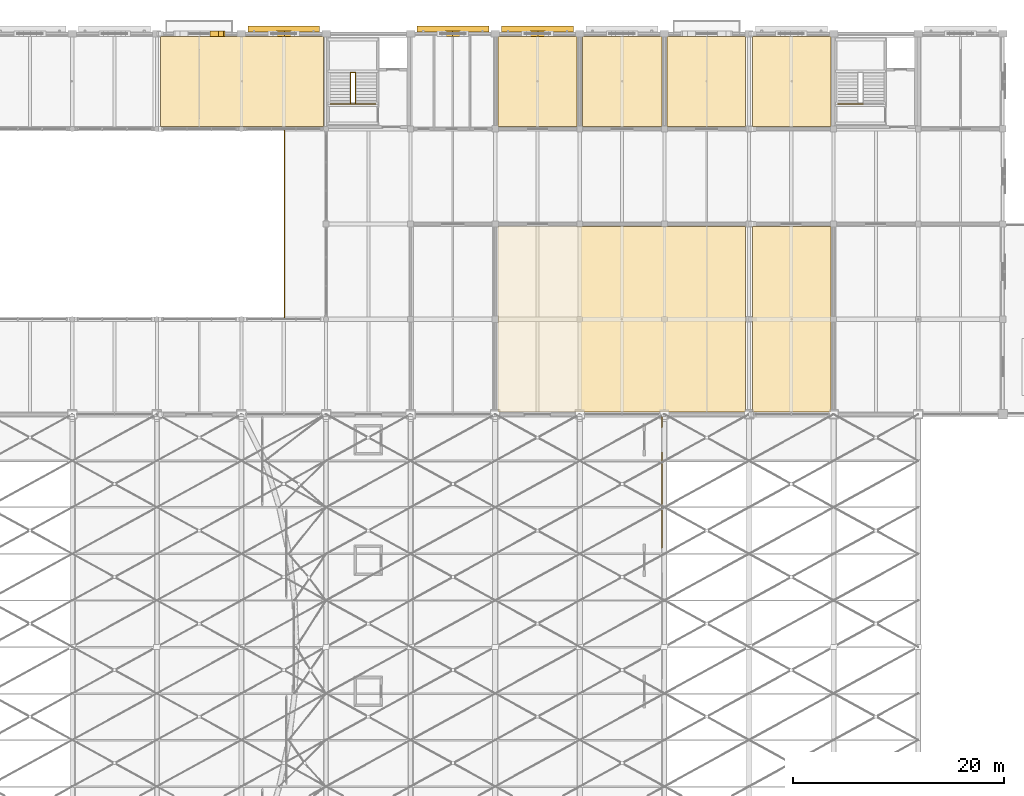
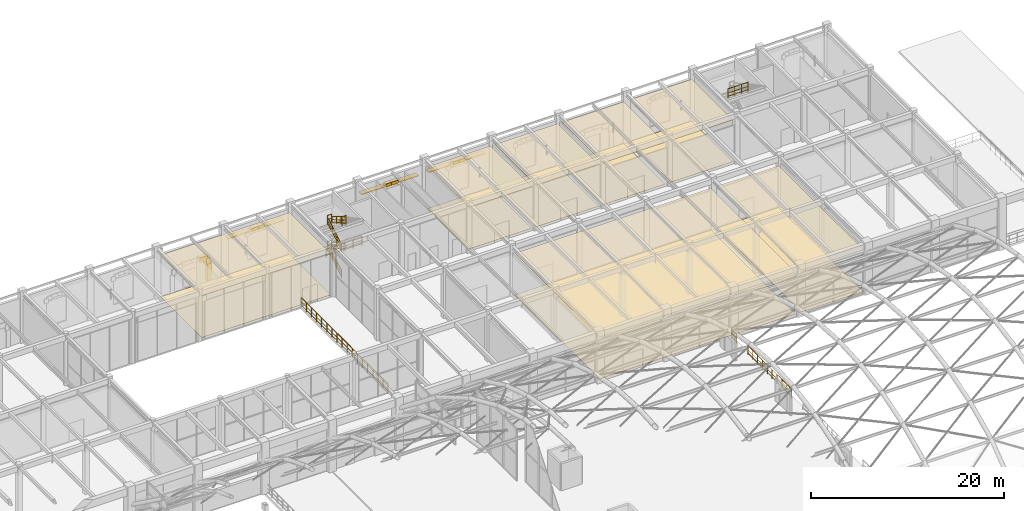
# One storey, part 160 of 163: 23 coverings, 12 railings, 3 shading devices.
"""IFC4 building model written with IfcOpenShell, lengths in metres."""

from ifc_helpers import new_model, si_unit, direction, frame, origin, origin_2d, place, context, subcontext, project, spatial, polyline, rectangle, circle, outline, extrude, material, layer, layer_set, type_object, element, save


model = new_model("IFC4")

# Units and contexts
model_context = context("Model", 3, precision=1e-05, world=origin(), true_north=direction((0.0, 1.0)))
body_context = subcontext(model_context, "Body", "Model", "MODEL_VIEW")
ifc_project = project(units=[si_unit("LENGTHUNIT", "METRE"), si_unit("AREAUNIT", "SQUARE_METRE"), si_unit("VOLUMEUNIT", "CUBIC_METRE"), si_unit("PLANEANGLEUNIT", "RADIAN"), si_unit("MASSUNIT", "GRAM", prefix="KILO")], contexts=[model_context])

# Site, building, storey
site_placement = place(None, origin())
site = spatial("IfcSite", under=ifc_project, at=site_placement, CompositionType="ELEMENT")
building_placement = place(site_placement, origin())
building = spatial("IfcBuilding", under=site, at=building_placement, Name="Varnabhumi Central Station", CompositionType="ELEMENT")
storey_placement = place(building_placement, frame((0.0, 0.0, 9.60009765625)))
storey = spatial("IfcBuildingStorey", under=building, at=storey_placement, Name="L02", CompositionType="ELEMENT", Elevation=9.60009765625)

# Coverings
ifc_material_1 = material(Name="Mineral-fibre acoustic tile")
ifc_layer_1 = layer(ifc_material_1, 0.02490234375, Name="Mineral-fibre acoustic tile")
ifc_layer_set_1 = layer_set([ifc_layer_1], Name="Mineral-fibre acoustic tile")
covering_type_1 = type_object("IfcCoveringType", Name="COV-CEIL-ACOUSTIC", PredefinedType="CEILING", material=ifc_layer_set_1)
covering_1_placement = place(storey_placement, frame((0.0, 0.0, 5.27001953125)))
element("IfcCovering", 1, at=covering_1_placement, inside=storey, type_object=covering_type_1, Name="Ladies' Waiting Lounge Acoustic Ceiling", PredefinedType="CEILING", context=body_context, shape_type="SweptSolid", body=[
    extrude(outline(polyline([(64.35009765625, 107.25), (79.75, 107.25), (79.75, 115.75), (64.35009765625, 115.75), (64.35009765625, 107.25)])), origin(), (0.0, 0.0, 1.0), 0.02490234375),
])
covering_2_placement = place(storey_placement, frame((0.0, 0.0, 5.27001953125)))
element("IfcCovering", 2, at=covering_2_placement, inside=storey, type_object=covering_type_1, Name="Departure Food Court and Tea Pavilion Acoustic Ceiling", PredefinedType="CEILING", context=body_context, shape_type="SweptSolid", body=[
    extrude(outline(polyline([(96.25, 80.25), (119.64990234375, 80.25), (119.64990234375, 97.75), (96.25, 97.75), (96.25, 80.25)])), origin(), (0.0, 0.0, 1.0), 0.02490234375),
])
covering_3_placement = place(storey_placement, frame((0.0, 0.0, 5.27001953125)))
element("IfcCovering", 3, at=covering_3_placement, inside=storey, type_object=covering_type_1, Name="Departure Food Court and Tea Pavilion Acoustic Ceiling", PredefinedType="CEILING", context=body_context, shape_type="SweptSolid", body=[
    extrude(outline(polyline([(120.35009765625, 80.25), (127.75, 80.25), (127.75, 97.75), (120.35009765625, 97.75), (120.35009765625, 80.25)])), origin(), (0.0, 0.0, 1.0), 0.02490234375),
])
covering_4_placement = place(storey_placement, frame((0.0, 0.0, 5.27001953125)))
element("IfcCovering", 4, at=covering_4_placement, inside=storey, type_object=covering_type_1, Name="Senior Citizen and Divyangjan Waiting Lounge Acoustic Ceiling", PredefinedType="CEILING", context=body_context, shape_type="SweptSolid", body=[
    extrude(outline(polyline([(96.25, 107.25), (103.75, 107.25), (103.75, 115.75), (96.25, 115.75), (96.25, 107.25)])), origin(), (0.0, 0.0, 1.0), 0.02490234375),
])
covering_5_placement = place(storey_placement, frame((0.0, 0.0, 5.27001953125)))
element("IfcCovering", 5, at=covering_5_placement, inside=storey, type_object=covering_type_1, Name="Concourse Travel Retail Shop 21 Acoustic Ceiling", PredefinedType="CEILING", context=body_context, shape_type="SweptSolid", body=[
    extrude(outline(polyline([(104.25, 107.25), (111.75, 107.25), (111.75, 115.75), (104.25, 115.75), (104.25, 107.25)])), origin(), (0.0, 0.0, 1.0), 0.02490234375),
])
covering_6_placement = place(storey_placement, frame((0.0, 0.0, 5.27001953125)))
element("IfcCovering", 6, at=covering_6_placement, inside=storey, type_object=covering_type_1, Name="Concourse Book and Craft Shop 22 Acoustic Ceiling", PredefinedType="CEILING", context=body_context, shape_type="SweptSolid", body=[
    extrude(outline(polyline([(112.25, 107.25), (119.64990234375, 107.25), (119.64990234375, 115.75), (112.25, 115.75), (112.25, 107.25)])), origin(), (0.0, 0.0, 1.0), 0.02490234375),
])
covering_7_placement = place(storey_placement, frame((0.0, 0.0, 5.27001953125)))
element("IfcCovering", 7, at=covering_7_placement, inside=storey, type_object=covering_type_1, Name="Concourse Book and Craft Shop 22 Acoustic Ceiling", PredefinedType="CEILING", context=body_context, shape_type="SweptSolid", body=[
    extrude(outline(polyline([(120.35009765625, 107.25), (127.75, 107.25), (127.75, 115.75), (120.35009765625, 115.75), (120.35009765625, 107.25)])), origin(), (0.0, 0.0, 1.0), 0.02490234375),
])
ifc_material_2 = material(Name="Vitrified granite stone flooring", Category="masonry")
ifc_layer_2 = layer(ifc_material_2, 0.030029296875, Name="Vitrified granite stone flooring", Category="masonry")
ifc_layer_set_2 = layer_set([ifc_layer_2], Name="Vitrified granite stone flooring")
covering_type_2 = type_object("IfcCoveringType", Name="COV-FLOR-GRANITE", PredefinedType="FLOORING", material=ifc_layer_set_2)
covering_8_placement = place(storey_placement, origin())
element("IfcCovering", 8, at=covering_8_placement, inside=storey, type_object=covering_type_2, Name="Ladies' Waiting Lounge Granite Flooring", PredefinedType="FLOORING", context=body_context, shape_type="SweptSolid", body=[
    extrude(outline(polyline([(64.35009765625, 107.25), (79.75, 107.25), (79.75, 115.75), (64.35009765625, 115.75), (64.35009765625, 107.25)])), origin(), (0.0, 0.0, 1.0), 0.02978515625),
])
covering_9_placement = place(storey_placement, origin())
element("IfcCovering", 9, at=covering_9_placement, inside=storey, type_object=covering_type_2, Name="Departure Food Court and Tea Pavilion Granite Flooring", PredefinedType="FLOORING", context=body_context, shape_type="SweptSolid", body=[
    extrude(outline(polyline([(96.25, 80.25), (119.64990234375, 80.25), (119.64990234375, 97.75), (96.25, 97.75), (96.25, 80.25)])), origin(), (0.0, 0.0, 1.0), 0.02978515625),
])
covering_10_placement = place(storey_placement, origin())
element("IfcCovering", 10, at=covering_10_placement, inside=storey, type_object=covering_type_2, Name="Departure Food Court and Tea Pavilion Granite Flooring", PredefinedType="FLOORING", context=body_context, shape_type="SweptSolid", body=[
    extrude(outline(polyline([(120.35009765625, 80.25), (127.75, 80.25), (127.75, 97.75), (120.35009765625, 97.75), (120.35009765625, 80.25)])), origin(), (0.0, 0.0, 1.0), 0.02978515625),
])
covering_11_placement = place(storey_placement, origin())
element("IfcCovering", 11, at=covering_11_placement, inside=storey, type_object=covering_type_2, Name="Senior Citizen and Divyangjan Waiting Lounge Granite Flooring", PredefinedType="FLOORING", context=body_context, shape_type="SweptSolid", body=[
    extrude(outline(polyline([(96.25, 107.25), (103.75, 107.25), (103.75, 115.75), (96.25, 115.75), (96.25, 107.25)])), origin(), (0.0, 0.0, 1.0), 0.02978515625),
])
covering_12_placement = place(storey_placement, origin())
element("IfcCovering", 12, at=covering_12_placement, inside=storey, type_object=covering_type_2, Name="Concourse Travel Retail Shop 21 Granite Flooring", PredefinedType="FLOORING", context=body_context, shape_type="SweptSolid", body=[
    extrude(outline(polyline([(104.25, 107.25), (111.75, 107.25), (111.75, 115.75), (104.25, 115.75), (104.25, 107.25)])), origin(), (0.0, 0.0, 1.0), 0.02978515625),
])
covering_13_placement = place(storey_placement, origin())
element("IfcCovering", 13, at=covering_13_placement, inside=storey, type_object=covering_type_2, Name="Concourse Book and Craft Shop 22 Granite Flooring", PredefinedType="FLOORING", context=body_context, shape_type="SweptSolid", body=[
    extrude(outline(polyline([(112.25, 107.25), (119.64990234375, 107.25), (119.64990234375, 115.75), (112.25, 115.75), (112.25, 107.25)])), origin(), (0.0, 0.0, 1.0), 0.02978515625),
])
covering_14_placement = place(storey_placement, origin())
element("IfcCovering", 14, at=covering_14_placement, inside=storey, type_object=covering_type_2, Name="Concourse Book and Craft Shop 22 Granite Flooring", PredefinedType="FLOORING", context=body_context, shape_type="SweptSolid", body=[
    extrude(outline(polyline([(120.35009765625, 107.25), (127.75, 107.25), (127.75, 115.75), (120.35009765625, 115.75), (120.35009765625, 107.25)])), origin(), (0.0, 0.0, 1.0), 0.02978515625),
])
ifc_material_3 = material(Name="Terracotta clay Mission barrel tile", Category="masonry")
ifc_layer_3 = layer(ifc_material_3, 0.02001953125, Name="Terracotta clay Mission barrel tile", Category="masonry")
ifc_layer_set_3 = layer_set([ifc_layer_3], Name="Terracotta clay Mission barrel tile")
covering_type_3 = type_object("IfcCoveringType", Name="COV-WALL-FAIENCE", PredefinedType="CLADDING", material=ifc_layer_set_3)
covering_15_placement = place(storey_placement, frame((69.50244140625, 116.0, 2.635009765625), z_axis=(0.0, 0.0, 1.0), x_axis=(1.0, 0.0, 0.0)))
element("IfcCovering", 15, at=covering_15_placement, inside=storey, type_object=covering_type_3, Name="Balcony Arch Portal L02-6 Stone Voussoir 5", PredefinedType="CLADDING", context=body_context, shape_type="SweptSolid", body=[
    extrude(rectangle(XDim=0.925048828125, YDim=0.47998046875, at=origin_2d()), origin(), (0.0, 0.0, 1.0), 0.6279296875),
])
covering_16_placement = place(storey_placement, frame((70.052490234375, 116.0, 2.159912109375), z_axis=(0.0, 0.0, 1.0), x_axis=(1.0, 0.0, 0.0)))
element("IfcCovering", 16, at=covering_16_placement, inside=storey, type_object=covering_type_3, Name="Balcony Arch Portal L02-6 Stone Voussoir 6", PredefinedType="CLADDING", context=body_context, shape_type="SweptSolid", body=[
    extrude(rectangle(XDim=0.469970703125, YDim=0.47998046875, at=origin_2d()), origin(), (0.0, 0.0, 1.0), 0.7548828125),
])
covering_17_placement = place(storey_placement, frame((70.199951171875, 116.0, -0.02001953125), z_axis=(0.0, 0.0, 1.0), x_axis=(1.0, 0.0, 0.0)))
element("IfcCovering", 17, at=covering_17_placement, inside=storey, type_object=covering_type_3, Name="Balcony Arch Portal L02-6 Classical Pilaster 2", PredefinedType="CLADDING", context=body_context, shape_type="SweptSolid", body=[
    extrude(rectangle(XDim=0.47998046875, YDim=0.47998046875, at=origin_2d()), origin(), (0.0, 0.0, 1.0), 2.340087890625),
])
for number, where, z_axis, x_axis, name in (
    (18, (75.66259765625, 116.0, 4.4228515625), (0.0, 0.0, 1.0), (1.0, 0.0, 0.0), "North Window Arch L02-7 Stone Voussoir 3"),
    (19, (76.33740234375, 116.0, 4.4228515625), (0.0, 0.0, 1.0), (1.0, 0.0, 0.0), "North Window Arch L02-7 Stone Voussoir 4"),
    (20, (91.66259765625, 116.0, 4.4228515625), (0.0, 0.0, 1.0), (1.0, 0.0, 0.0), "North Window Arch L02-9 Stone Voussoir 3"),
    (21, (92.33740234375, 116.0, 4.4228515625), (0.0, 0.0, 1.0), (1.0, 0.0, 0.0), "North Window Arch L02-9 Stone Voussoir 4"),
    (22, (99.66259765625, 116.0, 4.4228515625), (0.0, 0.0, 1.0), (1.0, 0.0, 0.0), "North Window Arch L02-10 Stone Voussoir 3"),
    (23, (100.33740234375, 116.0, 4.4228515625), (0.0, 0.0, 1.0), (1.0, 0.0, 0.0), "North Window Arch L02-10 Stone Voussoir 4"),
):
    element("IfcCovering", number, at=place(storey_placement, frame(where, z_axis=z_axis, x_axis=x_axis)), inside=storey, type_object=covering_type_3, Name=name, PredefinedType="CLADDING", context=body_context, shape_type="SweptSolid", body=[
        extrude(rectangle(XDim=0.794921875, YDim=0.47998046875, at=origin_2d()), origin(), (0.0, 0.0, 1.0), 0.3798828125),
    ])

# Railings
ifc_material_4 = material(Name="Stainless steel Grade 316", Category="steel")
railing_type_1 = type_object("IfcRailingType", Name="RAIL-BALUST-1150", PredefinedType="BALUSTRADE", material=ifc_material_4)
railing_1_placement = place(storey_placement, frame((76.080078125, 89.02001953125, 0.0)))
element("IfcRailing", 24, at=railing_1_placement, inside=storey, type_object=railing_type_1, Name="North Patio Courtyard Balustrade L02", PredefinedType="BALUSTRADE", context=body_context, shape_type="SweptSolid", body=[
    extrude(circle(Radius=0.02392578125, at=origin_2d()), frame((0.0, 0.0, 1.1259765625), z_axis=(0.0, 1.0, 0.0), x_axis=(-1.0, 0.0, 0.0)), (0.0, 0.0, 1.0), 17.9599609375),
    extrude(circle(Radius=0.01416015625, at=origin_2d()), frame((0.0, 0.0, 0.597900390625), z_axis=(0.0, 1.0, 0.0), x_axis=(-1.0, 0.0, 0.0)), (0.0, 0.0, 1.0), 17.9599609375),
    extrude(circle(Radius=0.01416015625, at=origin_2d()), frame((0.0, 0.0, 0.18408203125), z_axis=(0.0, 1.0, 0.0), x_axis=(-1.0, 0.0, 0.0)), (0.0, 0.0, 1.0), 17.9599609375),
    extrude(circle(Radius=0.02099609375, at=origin_2d()), origin(), (0.0, 0.0, 1.0), 1.101806640625),
    extrude(circle(Radius=0.02099609375, at=origin_2d()), frame((0.0, 1.056396484375, 0.0)), (0.0, 0.0, 1.0), 1.101806640625),
    extrude(circle(Radius=0.02099609375, at=origin_2d()), frame((0.0, 2.113037109375, 0.0)), (0.0, 0.0, 1.0), 1.101806640625),
    extrude(circle(Radius=0.02099609375, at=origin_2d()), frame((0.0, 3.16943359375, 0.0)), (0.0, 0.0, 1.0), 1.101806640625),
    extrude(circle(Radius=0.02099609375, at=origin_2d()), frame((0.0, 4.225830078125, 0.0)), (0.0, 0.0, 1.0), 1.101806640625),
    extrude(circle(Radius=0.02099609375, at=origin_2d()), frame((0.0, 5.2822265625, 0.0)), (0.0, 0.0, 1.0), 1.101806640625),
    extrude(circle(Radius=0.02099609375, at=origin_2d()), frame((0.0, 6.3388671875, 0.0)), (0.0, 0.0, 1.0), 1.101806640625),
    extrude(circle(Radius=0.02099609375, at=origin_2d()), frame((0.0, 7.395263671875, 0.0)), (0.0, 0.0, 1.0), 1.101806640625),
    extrude(circle(Radius=0.02099609375, at=origin_2d()), frame((0.0, 8.45166015625, 0.0)), (0.0, 0.0, 1.0), 1.101806640625),
    extrude(circle(Radius=0.02099609375, at=origin_2d()), frame((0.0, 9.50830078125, 0.0)), (0.0, 0.0, 1.0), 1.101806640625),
    extrude(circle(Radius=0.02099609375, at=origin_2d()), frame((0.0, 10.564697265625, 0.0)), (0.0, 0.0, 1.0), 1.101806640625),
    extrude(circle(Radius=0.02099609375, at=origin_2d()), frame((0.0, 11.62109375, 0.0)), (0.0, 0.0, 1.0), 1.101806640625),
    extrude(circle(Radius=0.02099609375, at=origin_2d()), frame((0.0, 12.677734375, 0.0)), (0.0, 0.0, 1.0), 1.101806640625),
    extrude(circle(Radius=0.02099609375, at=origin_2d()), frame((0.0, 13.734130859375, 0.0)), (0.0, 0.0, 1.0), 1.101806640625),
    extrude(circle(Radius=0.02099609375, at=origin_2d()), frame((0.0, 14.79052734375, 0.0)), (0.0, 0.0, 1.0), 1.101806640625),
    extrude(circle(Radius=0.02099609375, at=origin_2d()), frame((0.0, 15.846923828125, 0.0)), (0.0, 0.0, 1.0), 1.101806640625),
    extrude(circle(Radius=0.02099609375, at=origin_2d()), frame((0.0, 16.903564453125, 0.0)), (0.0, 0.0, 1.0), 1.101806640625),
    extrude(circle(Radius=0.02099609375, at=origin_2d()), frame((0.0, 17.9599609375, 0.0)), (0.0, 0.0, 1.0), 1.101806640625),
])
railing_type_2 = type_object("IfcRailingType", Name="RAIL-GUARD-1150", PredefinedType="GUARDRAIL", material=ifc_material_4)
railing_2_placement = place(storey_placement, frame((111.75, 67.3798828125, 0.0)))
element("IfcRailing", 25, at=railing_2_placement, inside=storey, type_object=railing_type_2, Name="L02 Concourse Train-Shed Overlook Guard 4", PredefinedType="GUARDRAIL", context=body_context, shape_type="SweptSolid", body=[
    extrude(circle(Radius=0.02392578125, at=origin_2d()), frame((0.0, 0.0, 1.1259765625), z_axis=(0.0, 1.0, 0.0), x_axis=(-1.0, 0.0, 0.0)), (0.0, 0.0, 1.0), 9.0400390625),
    extrude(circle(Radius=0.01416015625, at=origin_2d()), frame((0.0, 0.0, 0.597900390625), z_axis=(0.0, 1.0, 0.0), x_axis=(-1.0, 0.0, 0.0)), (0.0, 0.0, 1.0), 9.0400390625),
    extrude(circle(Radius=0.01416015625, at=origin_2d()), frame((0.0, 0.0, 0.18408203125), z_axis=(0.0, 1.0, 0.0), x_axis=(-1.0, 0.0, 0.0)), (0.0, 0.0, 1.0), 9.0400390625),
    extrude(circle(Radius=0.02099609375, at=origin_2d()), origin(), (0.0, 0.0, 1.0), 1.101806640625),
    extrude(circle(Radius=0.02099609375, at=origin_2d()), frame((0.0, 1.00439453125, 0.0)), (0.0, 0.0, 1.0), 1.101806640625),
    extrude(circle(Radius=0.02099609375, at=origin_2d()), frame((0.0, 2.0087890625, 0.0)), (0.0, 0.0, 1.0), 1.101806640625),
    extrude(circle(Radius=0.02099609375, at=origin_2d()), frame((0.0, 3.013427734375, 0.0)), (0.0, 0.0, 1.0), 1.101806640625),
    extrude(circle(Radius=0.02099609375, at=origin_2d()), frame((0.0, 4.017822265625, 0.0)), (0.0, 0.0, 1.0), 1.101806640625),
    extrude(circle(Radius=0.02099609375, at=origin_2d()), frame((0.0, 5.022216796875, 0.0)), (0.0, 0.0, 1.0), 1.101806640625),
    extrude(circle(Radius=0.02099609375, at=origin_2d()), frame((0.0, 6.026611328125, 0.0)), (0.0, 0.0, 1.0), 1.101806640625),
    extrude(circle(Radius=0.02099609375, at=origin_2d()), frame((0.0, 7.03125, 0.0)), (0.0, 0.0, 1.0), 1.101806640625),
    extrude(circle(Radius=0.02099609375, at=origin_2d()), frame((0.0, 8.03564453125, 0.0)), (0.0, 0.0, 1.0), 1.101806640625),
    extrude(circle(Radius=0.02099609375, at=origin_2d()), frame((0.0, 9.0400390625, 0.0)), (0.0, 0.0, 1.0), 1.101806640625),
])
railing_3_placement = place(storey_placement, frame((111.75, 78.780029296875, 0.0)))
element("IfcRailing", 26, at=railing_3_placement, inside=storey, type_object=railing_type_2, Name="L02 Concourse Train-Shed Overlook Guard 5", PredefinedType="GUARDRAIL", context=body_context, shape_type="SweptSolid", body=[
    extrude(circle(Radius=0.02392578125, at=origin_2d()), frame((0.0, 0.0, 1.1259765625), z_axis=(0.0, 1.0, 0.0), x_axis=(-1.0, 0.0, 0.0)), (0.0, 0.0, 1.0), 0.969970703125),
    extrude(circle(Radius=0.01416015625, at=origin_2d()), frame((0.0, 0.0, 0.597900390625), z_axis=(0.0, 1.0, 0.0), x_axis=(-1.0, 0.0, 0.0)), (0.0, 0.0, 1.0), 0.969970703125),
    extrude(circle(Radius=0.01416015625, at=origin_2d()), frame((0.0, 0.0, 0.18408203125), z_axis=(0.0, 1.0, 0.0), x_axis=(-1.0, 0.0, 0.0)), (0.0, 0.0, 1.0), 0.969970703125),
    extrude(circle(Radius=0.02099609375, at=origin_2d()), origin(), (0.0, 0.0, 1.0), 1.101806640625),
    extrude(circle(Radius=0.02099609375, at=origin_2d()), frame((0.0, 0.969970703125, 0.0)), (0.0, 0.0, 1.0), 1.101806640625),
])
railing_type_3 = type_object("IfcRailingType", Name="RAIL-STAIR-GRD-1150", PredefinedType="GUARDRAIL", material=ifc_material_4)
railing_4_placement = place(storey_placement, frame((82.300048828125, 112.330078125, 1.64990234375)))
element("IfcRailing", 27, at=railing_4_placement, inside=storey, type_object=railing_type_3, Name="ST-N2 L02 Landing Guard 1", PredefinedType="GUARDRAIL", context=body_context, shape_type="SweptSolid", body=[
    extrude(circle(Radius=0.02392578125, at=origin_2d()), frame((0.0, 0.0, 1.1259765625), z_axis=(1.0, 0.0, 0.0), x_axis=(0.0, 1.0, 0.0)), (0.0, 0.0, 1.0), 0.5),
    extrude(circle(Radius=0.01416015625, at=origin_2d()), frame((0.0, 0.0, 0.597900390625), z_axis=(1.0, 0.0, 0.0), x_axis=(0.0, 1.0, 0.0)), (0.0, 0.0, 1.0), 0.5),
    extrude(circle(Radius=0.01416015625, at=origin_2d()), frame((0.0, 0.0, 0.18408203125), z_axis=(1.0, 0.0, 0.0), x_axis=(0.0, 1.0, 0.0)), (0.0, 0.0, 1.0), 0.5),
    extrude(circle(Radius=0.02099609375, at=origin_2d()), origin(), (0.0, 0.0, 1.0), 1.101806640625),
    extrude(circle(Radius=0.02099609375, at=origin_2d()), frame((0.5, 0.0, 0.0)), (0.0, 0.0, 1.0), 1.101806640625),
])
railing_5_placement = place(storey_placement, frame((80.39990234375, 109.360107421875, 3.2998046875)))
element("IfcRailing", 28, at=railing_5_placement, inside=storey, type_object=railing_type_3, Name="ST-N2 L02 Landing Guard 2", PredefinedType="GUARDRAIL", context=body_context, shape_type="SweptSolid", body=[
    extrude(circle(Radius=0.02392578125, at=origin_2d()), frame((0.0, 0.0, 1.1259765625), z_axis=(1.0, 0.0, 0.0), x_axis=(0.0, 1.0, 0.0)), (0.0, 0.0, 1.0), 4.300048828125),
    extrude(circle(Radius=0.01416015625, at=origin_2d()), frame((0.0, 0.0, 0.597900390625), z_axis=(1.0, 0.0, 0.0), x_axis=(0.0, 1.0, 0.0)), (0.0, 0.0, 1.0), 4.300048828125),
    extrude(circle(Radius=0.01416015625, at=origin_2d()), frame((0.0, 0.0, 0.18408203125), z_axis=(1.0, 0.0, 0.0), x_axis=(0.0, 1.0, 0.0)), (0.0, 0.0, 1.0), 4.300048828125),
    extrude(circle(Radius=0.02099609375, at=origin_2d()), origin(), (0.0, 0.0, 1.0), 1.101806640625),
    extrude(circle(Radius=0.02099609375, at=origin_2d()), frame((1.074951171875, 0.0, 0.0)), (0.0, 0.0, 1.0), 1.101806640625),
    extrude(circle(Radius=0.02099609375, at=origin_2d()), frame((2.14990234375, 0.0, 0.0)), (0.0, 0.0, 1.0), 1.101806640625),
    extrude(circle(Radius=0.02099609375, at=origin_2d()), frame((3.22509765625, 0.0, 0.0)), (0.0, 0.0, 1.0), 1.101806640625),
    extrude(circle(Radius=0.02099609375, at=origin_2d()), frame((4.300048828125, 0.0, 0.0)), (0.0, 0.0, 1.0), 1.101806640625),
])
for number, where, name in (
    (29, (82.300048828125, 112.330078125, 4.949951171875), "ST-N2 L02 Landing Guard 3"),
    (30, (82.300048828125, 109.360107421875, 6.599853515625), "ST-N2 L02 Arrival Slot Guard"),
):
    element("IfcRailing", number, at=place(storey_placement, frame(where)), inside=storey, type_object=railing_type_3, Name=name, PredefinedType="GUARDRAIL", context=body_context, shape_type="SweptSolid", body=[
        extrude(circle(Radius=0.02392578125, at=origin_2d()), frame((0.0, 0.0, 1.1259765625), z_axis=(1.0, 0.0, 0.0), x_axis=(0.0, 1.0, 0.0)), (0.0, 0.0, 1.0), 0.5),
        extrude(circle(Radius=0.01416015625, at=origin_2d()), frame((0.0, 0.0, 0.597900390625), z_axis=(1.0, 0.0, 0.0), x_axis=(0.0, 1.0, 0.0)), (0.0, 0.0, 1.0), 0.5),
        extrude(circle(Radius=0.01416015625, at=origin_2d()), frame((0.0, 0.0, 0.18408203125), z_axis=(1.0, 0.0, 0.0), x_axis=(0.0, 1.0, 0.0)), (0.0, 0.0, 1.0), 0.5),
        extrude(circle(Radius=0.02099609375, at=origin_2d()), origin(), (0.0, 0.0, 1.0), 1.101806640625),
        extrude(circle(Radius=0.02099609375, at=origin_2d()), frame((0.5, 0.0, 0.0)), (0.0, 0.0, 1.0), 1.101806640625),
    ])
railing_6_placement = place(storey_placement, frame((128.39990234375, 109.360107421875, 6.599853515625)))
element("IfcRailing", 31, at=railing_6_placement, inside=storey, type_object=railing_type_3, Name="ST-N3 Top Well Guard", PredefinedType="GUARDRAIL", context=body_context, shape_type="SweptSolid", body=[
    extrude(circle(Radius=0.02392578125, at=origin_2d()), frame((0.0, 0.0, 1.1259765625), z_axis=(1.0, 0.0, 0.0), x_axis=(0.0, 1.0, 0.0)), (0.0, 0.0, 1.0), 2.400146484375),
    extrude(circle(Radius=0.01416015625, at=origin_2d()), frame((0.0, 0.0, 0.597900390625), z_axis=(1.0, 0.0, 0.0), x_axis=(0.0, 1.0, 0.0)), (0.0, 0.0, 1.0), 2.400146484375),
    extrude(circle(Radius=0.01416015625, at=origin_2d()), frame((0.0, 0.0, 0.18408203125), z_axis=(1.0, 0.0, 0.0), x_axis=(0.0, 1.0, 0.0)), (0.0, 0.0, 1.0), 2.400146484375),
    extrude(circle(Radius=0.02099609375, at=origin_2d()), origin(), (0.0, 0.0, 1.0), 1.101806640625),
    extrude(circle(Radius=0.02099609375, at=origin_2d()), frame((0.800048828125, 0.0, 0.0)), (0.0, 0.0, 1.0), 1.101806640625),
    extrude(circle(Radius=0.02099609375, at=origin_2d()), frame((1.60009765625, 0.0, 0.0)), (0.0, 0.0, 1.0), 1.101806640625),
    extrude(circle(Radius=0.02099609375, at=origin_2d()), frame((2.400146484375, 0.0, 0.0)), (0.0, 0.0, 1.0), 1.101806640625),
])
railing_type_4 = type_object("IfcRailingType", Name="RAIL-STAIR-HR-920", PredefinedType="HANDRAIL", material=ifc_material_4)
railing_7_placement = place(storey_placement, frame((82.300048828125, 109.419921875, 0.0)))
element("IfcRailing", 32, at=railing_7_placement, inside=storey, type_object=railing_type_4, Name="ST-N2 L02 Handrail 1", PredefinedType="HANDRAIL", context=body_context, shape_type="SweptSolid", body=[
    extrude(circle(Radius=0.02392578125, at=origin_2d()), frame((0.0, 0.0, 0.89599609375), z_axis=(0.0, 0.865446587175, 0.501001202341), x_axis=(-1.0, 0.0, 0.0)), (0.0, 0.0, 1.0), 3.293212890625),
    extrude(circle(Radius=0.01416015625, at=origin_2d()), frame((0.0, 0.0, 0.478271484375), z_axis=(0.0, 0.865446587175, 0.501001202341), x_axis=(-1.0, 0.0, 0.0)), (0.0, 0.0, 1.0), 3.293212890625),
    extrude(circle(Radius=0.01416015625, at=origin_2d()), frame((0.0, 0.0, 0.147216796875), z_axis=(0.0, 0.865446587175, 0.501001202341), x_axis=(-1.0, 0.0, 0.0)), (0.0, 0.0, 1.0), 3.293212890625),
    extrude(circle(Radius=0.02099609375, at=origin_2d()), origin(), (0.0, 0.0, 1.0), 0.871826171875),
    extrude(circle(Radius=0.02099609375, at=origin_2d()), frame((0.0, 0.949951171875, 0.550048828125)), (0.0, 0.0, 1.0), 0.871826171875),
    extrude(circle(Radius=0.02099609375, at=origin_2d()), frame((0.0, 1.900146484375, 1.099853515625)), (0.0, 0.0, 1.0), 0.871826171875),
    extrude(circle(Radius=0.02099609375, at=origin_2d()), frame((0.0, 2.85009765625, 1.64990234375)), (0.0, 0.0, 1.0), 0.871826171875),
])
railing_8_placement = place(storey_placement, frame((82.800048828125, 112.27001953125, 1.64990234375)))
element("IfcRailing", 33, at=railing_8_placement, inside=storey, type_object=railing_type_4, Name="ST-N2 L02 Handrail 2", PredefinedType="HANDRAIL", context=body_context, shape_type="SweptSolid", body=[
    extrude(circle(Radius=0.02392578125, at=origin_2d()), frame((0.0, 0.0, 0.89599609375), z_axis=(0.0, -0.865446587175, 0.501001202341), x_axis=(1.0, 0.0, 0.0)), (0.0, 0.0, 1.0), 3.293212890625),
    extrude(circle(Radius=0.01416015625, at=origin_2d()), frame((0.0, 0.0, 0.478271484375), z_axis=(0.0, -0.865446587175, 0.501001202341), x_axis=(1.0, 0.0, 0.0)), (0.0, 0.0, 1.0), 3.293212890625),
    extrude(circle(Radius=0.01416015625, at=origin_2d()), frame((0.0, 0.0, 0.147216796875), z_axis=(0.0, -0.865446587175, 0.501001202341), x_axis=(1.0, 0.0, 0.0)), (0.0, 0.0, 1.0), 3.293212890625),
    extrude(circle(Radius=0.02099609375, at=origin_2d()), origin(), (0.0, 0.0, 1.0), 0.871826171875),
    extrude(circle(Radius=0.02099609375, at=origin_2d()), frame((0.0, -0.949951171875, 0.550048828125)), (0.0, 0.0, 1.0), 0.871826171875),
    extrude(circle(Radius=0.02099609375, at=origin_2d()), frame((0.0, -1.900146484375, 1.099853515625)), (0.0, 0.0, 1.0), 0.871826171875),
    extrude(circle(Radius=0.02099609375, at=origin_2d()), frame((0.0, -2.85009765625, 1.64990234375)), (0.0, 0.0, 1.0), 0.871826171875),
])
railing_9_placement = place(storey_placement, frame((82.300048828125, 109.419921875, 3.2998046875)))
element("IfcRailing", 34, at=railing_9_placement, inside=storey, type_object=railing_type_4, Name="ST-N2 L02 Handrail 3", PredefinedType="HANDRAIL", context=body_context, shape_type="SweptSolid", body=[
    extrude(circle(Radius=0.02392578125, at=origin_2d()), frame((0.0, 0.0, 0.89599609375), z_axis=(0.0, 0.86541444261, 0.501056725852), x_axis=(-1.0, 0.0, 0.0)), (0.0, 0.0, 1.0), 3.293212890625),
    extrude(circle(Radius=0.01416015625, at=origin_2d()), frame((0.0, 0.0, 0.478271484375), z_axis=(0.0, 0.86541444261, 0.501056725852), x_axis=(-1.0, 0.0, 0.0)), (0.0, 0.0, 1.0), 3.293212890625),
    extrude(circle(Radius=0.01416015625, at=origin_2d()), frame((0.0, 0.0, 0.147216796875), z_axis=(0.0, 0.86541444261, 0.501056725852), x_axis=(-1.0, 0.0, 0.0)), (0.0, 0.0, 1.0), 3.293212890625),
    extrude(circle(Radius=0.02099609375, at=origin_2d()), origin(), (0.0, 0.0, 1.0), 0.871826171875),
    extrude(circle(Radius=0.02099609375, at=origin_2d()), frame((0.0, 0.949951171875, 0.550048828125)), (0.0, 0.0, 1.0), 0.871826171875),
    extrude(circle(Radius=0.02099609375, at=origin_2d()), frame((0.0, 1.900146484375, 1.10009765625)), (0.0, 0.0, 1.0), 0.871826171875),
    extrude(circle(Radius=0.02099609375, at=origin_2d()), frame((0.0, 2.85009765625, 1.650146484375)), (0.0, 0.0, 1.0), 0.871826171875),
])
railing_10_placement = place(storey_placement, frame((82.800048828125, 112.27001953125, 4.949951171875)))
element("IfcRailing", 35, at=railing_10_placement, inside=storey, type_object=railing_type_4, Name="ST-N2 L02 Handrail 4", PredefinedType="HANDRAIL", context=body_context, shape_type="SweptSolid", body=[
    extrude(circle(Radius=0.02392578125, at=origin_2d()), frame((0.0, 0.0, 0.89599609375), z_axis=(0.0, -0.865446587175, 0.501001202341), x_axis=(1.0, 0.0, 0.0)), (0.0, 0.0, 1.0), 3.293212890625),
    extrude(circle(Radius=0.01416015625, at=origin_2d()), frame((0.0, 0.0, 0.478271484375), z_axis=(0.0, -0.865446587175, 0.501001202341), x_axis=(1.0, 0.0, 0.0)), (0.0, 0.0, 1.0), 3.293212890625),
    extrude(circle(Radius=0.01416015625, at=origin_2d()), frame((0.0, 0.0, 0.147216796875), z_axis=(0.0, -0.865446587175, 0.501001202341), x_axis=(1.0, 0.0, 0.0)), (0.0, 0.0, 1.0), 3.293212890625),
    extrude(circle(Radius=0.02099609375, at=origin_2d()), origin(), (0.0, 0.0, 1.0), 0.871826171875),
    extrude(circle(Radius=0.02099609375, at=origin_2d()), frame((0.0, -0.949951171875, 0.550048828125)), (0.0, 0.0, 1.0), 0.871826171875),
    extrude(circle(Radius=0.02099609375, at=origin_2d()), frame((0.0, -1.900146484375, 1.099853515625)), (0.0, 0.0, 1.0), 0.871826171875),
    extrude(circle(Radius=0.02099609375, at=origin_2d()), frame((0.0, -2.85009765625, 1.64990234375)), (0.0, 0.0, 1.0), 0.871826171875),
])

# Shading devices
ifc_material_5 = material(Name="Precast concrete M45", Category="concrete")
ifc_layer_4 = layer(ifc_material_5, 0.10009765625, Name="Precast concrete M45", Category="concrete")
ifc_layer_set_4 = layer_set([ifc_layer_4], Name="Precast concrete M45")
shading_device_type = type_object("IfcShadingDeviceType", Name="SHD-CHAJJA-600", PredefinedType="AWNING", material=ifc_layer_set_4)
for number, where, z_axis, x_axis, name in (
    (36, (76.0, 116.449951171875, 4.1298828125), (0.0, 0.0, 1.0), (1.0, 0.0, 0.0), "Chajja Overhang N-L02-7"),
    (37, (92.0, 116.449951171875, 4.1298828125), (0.0, 0.0, 1.0), (1.0, 0.0, 0.0), "Chajja Overhang N-L02-9"),
    (38, (100.0, 116.449951171875, 4.1298828125), (0.0, 0.0, 1.0), (1.0, 0.0, 0.0), "Chajja Overhang N-L02-10"),
):
    element("IfcShadingDevice", number, at=place(storey_placement, frame(where, z_axis=z_axis, x_axis=x_axis)), inside=storey, type_object=shading_device_type, Name=name, PredefinedType="AWNING", context=body_context, shape_type="SweptSolid", body=[
        extrude(rectangle(XDim=6.800048828125, YDim=0.60009765625, at=origin_2d()), origin(), (0.0, 0.0, 1.0), 0.10009765625),
    ])

save(model, "model.ifc")
